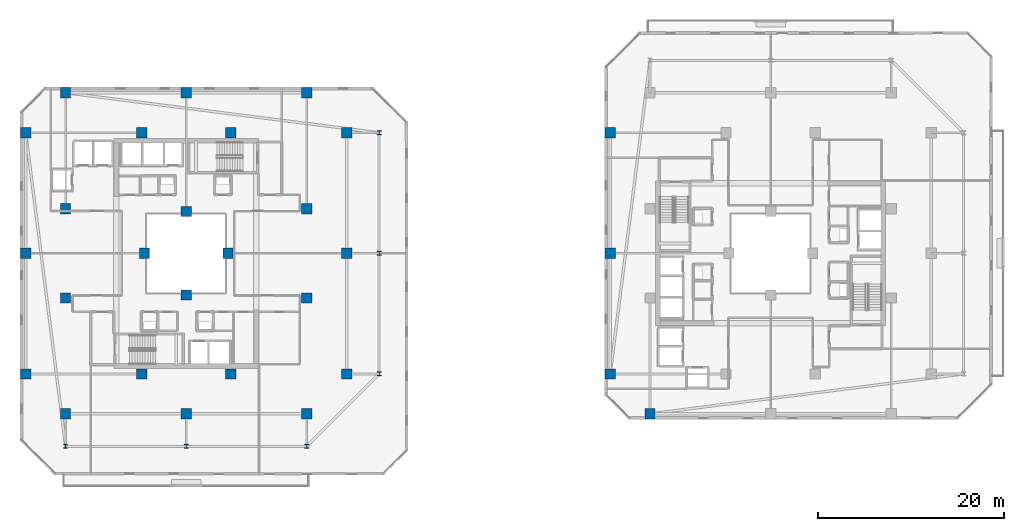
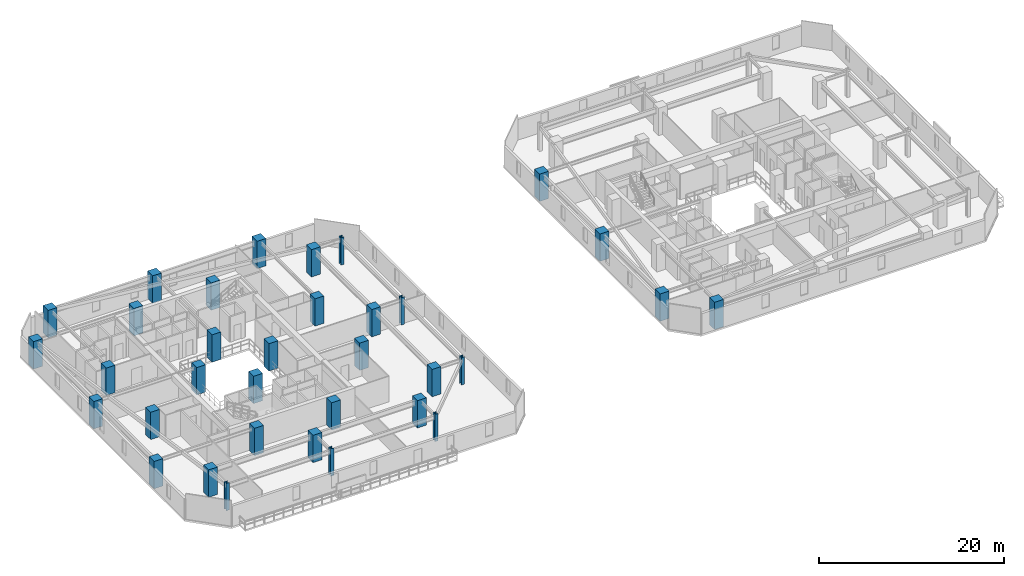
# One storey, part 1 of 32: 34 columns.
"""IFC4 building model written with IfcOpenShell, lengths in metres."""

from ifc_helpers import new_model, si_unit, direction, frame, origin, origin_2d, place, context, subcontext, project, spatial, rectangle, i_section, extrude, material, material_profile, profile_set, type_object, element, save


model = new_model("IFC4")

# Units and contexts
model_context = context("Model", 3, precision=1e-05, world=origin(), true_north=direction((0.0, 1.0)))
body_context = subcontext(model_context, "Body", "Model", "MODEL_VIEW")
ifc_project = project(units=[si_unit("LENGTHUNIT", "METRE"), si_unit("AREAUNIT", "SQUARE_METRE"), si_unit("VOLUMEUNIT", "CUBIC_METRE"), si_unit("PLANEANGLEUNIT", "RADIAN"), si_unit("MASSUNIT", "GRAM", prefix="KILO")], contexts=[model_context])

# Site, building, storey
site_placement = place(None, origin())
site = spatial("IfcSite", under=ifc_project, at=site_placement, CompositionType="ELEMENT")
building_placement = place(site_placement, origin())
building = spatial("IfcBuilding", under=site, at=building_placement, Name="Thornwick Lancets Civic Towers", CompositionType="ELEMENT")
storey_placement = place(building_placement, frame((0.0, 0.0, 156.300048828125)))
storey = spatial("IfcBuildingStorey", under=building, at=storey_placement, Name="L41", CompositionType="ELEMENT", Elevation=156.300048828125)

# Columns
ifc_material_1 = material(Name="Concrete C50/60", Category="concrete")
ifc_material_profile_1 = material_profile(ifc_material_1, rectangle(XDim=1.10009765625, YDim=1.10009765625, at=origin_2d()), Name="RC 1100x1100")
ifc_profile_set_1 = profile_set([ifc_material_profile_1], Name="Concrete C50/60")
column_type_1 = type_object("IfcColumnType", Name="COL_RC_1100", PredefinedType="COLUMN", material=ifc_profile_set_1)
for number, where, z_axis, x_axis, name in (
    (1, (12.5, 9.699951171875, 0.0), (0.0, 0.0, 1.0), (1.0, 0.0, 0.0), "L41 Spine Mega-Column A01"),
    (2, (25.5, 9.699951171875, 0.0), (0.0, 0.0, 1.0), (1.0, 0.0, 0.0), "L41 Spine Mega-Column A02"),
    (3, (38.5, 9.699951171875, 0.0), (0.0, 0.0, 1.0), (1.0, 0.0, 0.0), "L41 Spine Mega-Column A03"),
    (4, (42.800048828125, 14.0, 0.0), (0.0, 0.0, 1.0), (1.0, 0.0, 0.0), "L41 Spine Mega-Column A04"),
    (5, (42.800048828125, 27.0, 0.0), (0.0, 0.0, 1.0), (1.0, 0.0, 0.0), "L41 Spine Mega-Column A05"),
    (6, (42.800048828125, 40.0, 0.0), (0.0, 0.0, 1.0), (1.0, 0.0, 0.0), "L41 Spine Mega-Column A06"),
    (7, (12.5, 44.300048828125, 0.0), (0.0, 0.0, 1.0), (1.0, 0.0, 0.0), "L41 Spine Mega-Column A07"),
    (8, (25.5, 44.300048828125, 0.0), (0.0, 0.0, 1.0), (1.0, 0.0, 0.0), "L41 Spine Mega-Column A08"),
    (9, (38.5, 44.300048828125, 0.0), (0.0, 0.0, 1.0), (1.0, 0.0, 0.0), "L41 Spine Mega-Column A09"),
    (10, (8.199951171875, 14.0, 0.0), (0.0, 0.0, 1.0), (1.0, 0.0, 0.0), "L41 Spine Mega-Column A10"),
    (11, (8.199951171875, 27.0, 0.0), (0.0, 0.0, 1.0), (1.0, 0.0, 0.0), "L41 Spine Mega-Column A11"),
    (12, (8.199951171875, 40.0, 0.0), (0.0, 0.0, 1.0), (1.0, 0.0, 0.0), "L41 Spine Mega-Column A12"),
    (13, (12.5, 22.199951171875, 0.0), (0.0, 0.0, 1.0), (1.0, 0.0, 0.0), "L41 Spine Mega-Column A13"),
    (14, (38.5, 22.199951171875, 0.0), (0.0, 0.0, 1.0), (1.0, 0.0, 0.0), "L41 Spine Mega-Column A14"),
    (15, (12.5, 31.800048828125, 0.0), (0.0, 0.0, 1.0), (1.0, 0.0, 0.0), "L41 Spine Mega-Column A15"),
    (16, (38.5, 31.800048828125, 0.0), (0.0, 0.0, 1.0), (1.0, 0.0, 0.0), "L41 Spine Mega-Column A16"),
    (17, (20.699951171875, 14.0, 0.0), (0.0, 0.0, 1.0), (1.0, 0.0, 0.0), "L41 Spine Mega-Column A17"),
    (18, (30.300048828125, 14.0, 0.0), (0.0, 0.0, 1.0), (1.0, 0.0, 0.0), "L41 Spine Mega-Column A18"),
    (19, (20.699951171875, 40.0, 0.0), (0.0, 0.0, 1.0), (1.0, 0.0, 0.0), "L41 Spine Mega-Column A19"),
    (20, (30.300048828125, 40.0, 0.0), (0.0, 0.0, 1.0), (1.0, 0.0, 0.0), "L41 Spine Mega-Column A20"),
    (21, (25.5, 22.5, 0.0), (0.0, 0.0, 1.0), (1.0, 0.0, 0.0), "L41 Spine Mega-Column A21"),
    (22, (25.5, 31.5, 0.0), (0.0, 0.0, 1.0), (1.0, 0.0, 0.0), "L41 Spine Mega-Column A22"),
    (23, (21.0, 27.0, 0.0), (0.0, 0.0, 1.0), (1.0, 0.0, 0.0), "L41 Spine Mega-Column A23"),
    (24, (30.0, 27.0, 0.0), (0.0, 0.0, 1.0), (1.0, 0.0, 0.0), "L41 Spine Mega-Column A24"),
    (25, (71.199951171875, 14.0, 0.0), (0.0, 0.0, 1.0), (1.0, 0.0, 0.0), "L41 Spine Mega-Column B07"),
    (26, (71.199951171875, 27.0, 0.0), (0.0, 0.0, 1.0), (1.0, 0.0, 0.0), "L41 Spine Mega-Column B08"),
    (27, (71.199951171875, 40.0, 0.0), (0.0, 0.0, 1.0), (1.0, 0.0, 0.0), "L41 Spine Mega-Column B09"),
    (28, (75.5, 9.699951171875, 0.0), (0.0, 0.0, 1.0), (1.0, 0.0, 0.0), "L41 Spine Mega-Column B12"),
):
    element("IfcColumn", number, at=place(storey_placement, frame(where, z_axis=z_axis, x_axis=x_axis)), inside=storey, type_object=column_type_1, Name=name, PredefinedType="COLUMN", context=body_context, shape_type="SweptSolid", body=[
        extrude(rectangle(XDim=1.10009765625, YDim=1.10009765625, at=origin_2d()), origin(), (0.0, 0.0, 1.0), 3.599853515625),
    ])
ifc_material_2 = material(Name="Steel S460M", Category="steel")
ifc_material_profile_2 = material_profile(ifc_material_2, i_section(OverallWidth=0.406982421875, OverallDepth=0.4189453125, WebThickness=0.030517578125, FlangeThickness=0.04931640625, FilletRadius=0.01513671875, at=origin_2d()), Name="UKC 356x406x393")
ifc_profile_set_2 = profile_set([ifc_material_profile_2], Name="Steel S460M")
column_type_2 = type_object("IfcColumnType", Name="COL_UKC_393", PredefinedType="COLUMN", material=ifc_profile_set_2)
for number, where, z_axis, x_axis, name in (
    (29, (12.5, 6.199951171875, 0.0), (0.0, 0.0, 1.0), (1.0, 0.0, 0.0), "L41 Block Perimeter Column A01"),
    (30, (25.5, 6.199951171875, 0.0), (0.0, 0.0, 1.0), (1.0, 0.0, 0.0), "L41 Block Perimeter Column A02"),
    (31, (38.5, 6.199951171875, 0.0), (0.0, 0.0, 1.0), (1.0, 0.0, 0.0), "L41 Block Perimeter Column A03"),
    (32, (46.300048828125, 14.0, 0.0), (0.0, 0.0, 1.0), (1.0, 0.0, 0.0), "L41 Block Perimeter Column A04"),
    (33, (46.300048828125, 27.0, 0.0), (0.0, 0.0, 1.0), (1.0, 0.0, 0.0), "L41 Block Perimeter Column A05"),
    (34, (46.300048828125, 40.0, 0.0), (0.0, 0.0, 1.0), (1.0, 0.0, 0.0), "L41 Block Perimeter Column A06"),
):
    element("IfcColumn", number, at=place(storey_placement, frame(where, z_axis=z_axis, x_axis=x_axis)), inside=storey, type_object=column_type_2, Name=name, PredefinedType="COLUMN", context=body_context, shape_type="SweptSolid", body=[
        extrude(i_section(OverallWidth=0.406982421875, OverallDepth=0.4189453125, WebThickness=0.030517578125, FlangeThickness=0.04931640625, FilletRadius=0.01513671875, at=origin_2d()), origin(), (0.0, 0.0, 1.0), 3.599853515625),
    ])

save(model, "model.ifc")
